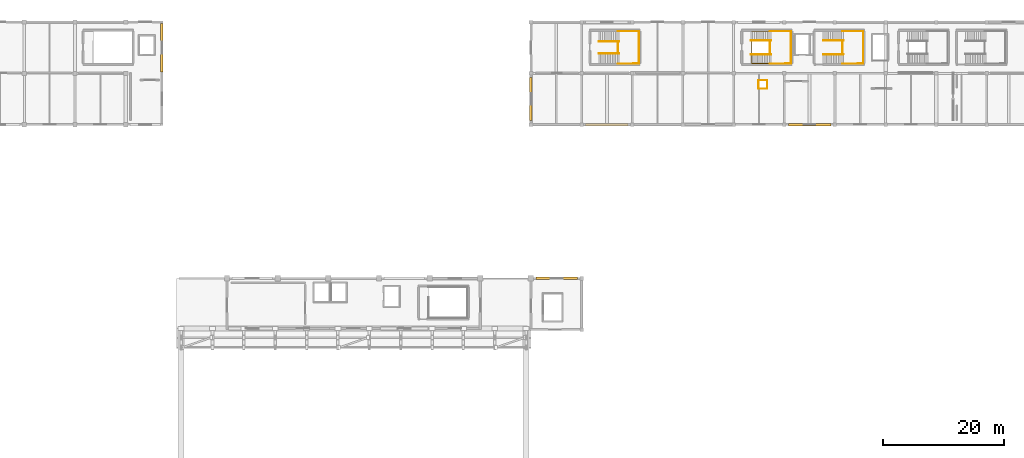
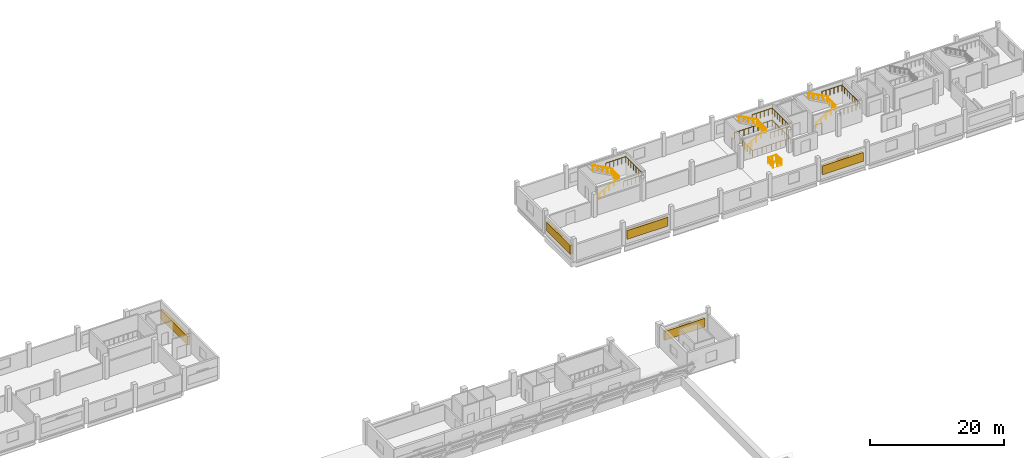
# One storey, part 50 of 52: 15 railings, 5 coverings.
"""IFC4 building model written with IfcOpenShell, lengths in metres."""

from ifc_helpers import new_model, si_unit, direction, frame, origin, origin_2d, place, context, subcontext, project, spatial, rectangle, circle, extrude, material, layer, layer_set, type_object, element, save


model = new_model("IFC4")

# Units and contexts
model_context = context("Model", 3, precision=1e-05, world=origin(), true_north=direction((0.0, 1.0)))
body_context = subcontext(model_context, "Body", "Model", "MODEL_VIEW")
ifc_project = project(units=[si_unit("LENGTHUNIT", "METRE"), si_unit("AREAUNIT", "SQUARE_METRE"), si_unit("VOLUMEUNIT", "CUBIC_METRE"), si_unit("PLANEANGLEUNIT", "RADIAN"), si_unit("MASSUNIT", "GRAM", prefix="KILO")], contexts=[model_context])

# Site, building, storey
site_placement = place(None, origin())
site = spatial("IfcSite", under=ifc_project, at=site_placement, CompositionType="ELEMENT")
building_placement = place(site_placement, origin())
building = spatial("IfcBuilding", under=site, at=building_placement, Name="Solvento Point Concert Hall", CompositionType="ELEMENT")
storey_placement = place(building_placement, frame((0.0, 0.0, 19.5)))
storey = spatial("IfcBuildingStorey", under=building, at=storey_placement, Name="L04", CompositionType="ELEMENT", Elevation=19.5)

# Railings
ifc_material_1 = material(Name="Brushed Stainless Steel Balustrade", Category="steel")
railing_type_1 = type_object("IfcRailingType", Name="StairHandrail_915", PredefinedType="HANDRAIL", material=ifc_material_1)
railing_1_placement = place(storey_placement, frame((169.64990234375, 130.64990234375, 0.16796875)))
element("IfcRailing", 1, at=railing_1_placement, inside=storey, type_object=railing_type_1, Name="Stair handrail HR-01 ST-01 L04 F1", PredefinedType="HANDRAIL", context=body_context, shape_type="SweptSolid", body=[
    extrude(circle(Radius=0.0224609375, at=origin_2d()), frame((0.0, 0.0, 0.892578125), z_axis=(0.857487428268, 0.0, 0.514504917724), x_axis=(0.0, 1.0, 0.0)), (0.0, 0.0, 1.0), 3.91845703125),
    extrude(circle(Radius=0.01904296875, at=origin_2d()), origin(), (0.0, 0.0, 1.0), 0.8701171875),
    extrude(circle(Radius=0.01904296875, at=origin_2d()), frame((0.840087890625, 0.0, 0.50390625)), (0.0, 0.0, 1.0), 0.8701171875),
    extrude(circle(Radius=0.01904296875, at=origin_2d()), frame((1.68017578125, 0.0, 1.008056640625)), (0.0, 0.0, 1.0), 0.8701171875),
    extrude(circle(Radius=0.01904296875, at=origin_2d()), frame((2.52001953125, 0.0, 1.51220703125)), (0.0, 0.0, 1.0), 0.8701171875),
    extrude(circle(Radius=0.01904296875, at=origin_2d()), frame((3.360107421875, 0.0, 2.01611328125)), (0.0, 0.0, 1.0), 0.8701171875),
])
railing_2_placement = place(storey_placement, frame((173.010009765625, 132.949951171875, 2.35205078125)))
element("IfcRailing", 2, at=railing_2_placement, inside=storey, type_object=railing_type_1, Name="Stair handrail HR-01 ST-01 L04 F2", PredefinedType="HANDRAIL", context=body_context, shape_type="SweptSolid", body=[
    extrude(circle(Radius=0.0224609375, at=origin_2d()), frame((0.0, 0.0, 0.892578125), z_axis=(-0.87623338261, 0.0, 0.48188697762), x_axis=(0.0, -1.0, 0.0)), (0.0, 0.0, 1.0), 3.834716796875),
    extrude(circle(Radius=0.01904296875, at=origin_2d()), origin(), (0.0, 0.0, 1.0), 0.8701171875),
    extrude(circle(Radius=0.01904296875, at=origin_2d()), frame((-0.840087890625, 0.0, 0.4619140625)), (0.0, 0.0, 1.0), 0.8701171875),
    extrude(circle(Radius=0.01904296875, at=origin_2d()), frame((-1.68017578125, 0.0, 0.923828125)), (0.0, 0.0, 1.0), 0.8701171875),
    extrude(circle(Radius=0.01904296875, at=origin_2d()), frame((-2.52001953125, 0.0, 1.385986328125)), (0.0, 0.0, 1.0), 0.8701171875),
    extrude(circle(Radius=0.01904296875, at=origin_2d()), frame((-3.360107421875, 0.0, 1.847900390625)), (0.0, 0.0, 1.0), 0.8701171875),
])
railing_3_placement = place(storey_placement, frame((181.64990234375, 130.64990234375, 0.16796875)))
element("IfcRailing", 3, at=railing_3_placement, inside=storey, type_object=railing_type_1, Name="Stair handrail HR-01 ST-10 L04 F1", PredefinedType="HANDRAIL", context=body_context, shape_type="SweptSolid", body=[
    extrude(circle(Radius=0.0224609375, at=origin_2d()), frame((0.0, 0.0, 0.892578125), z_axis=(0.857487428268, 0.0, 0.514504917724), x_axis=(0.0, 1.0, 0.0)), (0.0, 0.0, 1.0), 3.91845703125),
    extrude(circle(Radius=0.01904296875, at=origin_2d()), origin(), (0.0, 0.0, 1.0), 0.8701171875),
    extrude(circle(Radius=0.01904296875, at=origin_2d()), frame((0.840087890625, 0.0, 0.50390625)), (0.0, 0.0, 1.0), 0.8701171875),
    extrude(circle(Radius=0.01904296875, at=origin_2d()), frame((1.68017578125, 0.0, 1.008056640625)), (0.0, 0.0, 1.0), 0.8701171875),
    extrude(circle(Radius=0.01904296875, at=origin_2d()), frame((2.52001953125, 0.0, 1.51220703125)), (0.0, 0.0, 1.0), 0.8701171875),
    extrude(circle(Radius=0.01904296875, at=origin_2d()), frame((3.360107421875, 0.0, 2.01611328125)), (0.0, 0.0, 1.0), 0.8701171875),
])
railing_4_placement = place(storey_placement, frame((185.010009765625, 132.949951171875, 2.35205078125)))
element("IfcRailing", 4, at=railing_4_placement, inside=storey, type_object=railing_type_1, Name="Stair handrail HR-01 ST-10 L04 F2", PredefinedType="HANDRAIL", context=body_context, shape_type="SweptSolid", body=[
    extrude(circle(Radius=0.0224609375, at=origin_2d()), frame((0.0, 0.0, 0.892578125), z_axis=(-0.87623338261, 0.0, 0.48188697762), x_axis=(0.0, -1.0, 0.0)), (0.0, 0.0, 1.0), 3.834716796875),
    extrude(circle(Radius=0.01904296875, at=origin_2d()), origin(), (0.0, 0.0, 1.0), 0.8701171875),
    extrude(circle(Radius=0.01904296875, at=origin_2d()), frame((-0.840087890625, 0.0, 0.4619140625)), (0.0, 0.0, 1.0), 0.8701171875),
    extrude(circle(Radius=0.01904296875, at=origin_2d()), frame((-1.68017578125, 0.0, 0.923828125)), (0.0, 0.0, 1.0), 0.8701171875),
    extrude(circle(Radius=0.01904296875, at=origin_2d()), frame((-2.52001953125, 0.0, 1.385986328125)), (0.0, 0.0, 1.0), 0.8701171875),
    extrude(circle(Radius=0.01904296875, at=origin_2d()), frame((-3.360107421875, 0.0, 1.847900390625)), (0.0, 0.0, 1.0), 0.8701171875),
])
railing_5_placement = place(storey_placement, frame((144.449951171875, 130.81005859375, 0.16796875)))
element("IfcRailing", 5, at=railing_5_placement, inside=storey, type_object=railing_type_1, Name="Stair handrail HR-01 ST-12 L04 F1", PredefinedType="HANDRAIL", context=body_context, shape_type="SweptSolid", body=[
    extrude(circle(Radius=0.0224609375, at=origin_2d()), frame((0.0, 0.0, 0.892578125), z_axis=(0.857487428268, 0.0, 0.514504917724), x_axis=(0.0, 1.0, 0.0)), (0.0, 0.0, 1.0), 3.91845703125),
    extrude(circle(Radius=0.01904296875, at=origin_2d()), origin(), (0.0, 0.0, 1.0), 0.8701171875),
    extrude(circle(Radius=0.01904296875, at=origin_2d()), frame((0.840087890625, 0.0, 0.50390625)), (0.0, 0.0, 1.0), 0.8701171875),
    extrude(circle(Radius=0.01904296875, at=origin_2d()), frame((1.68017578125, 0.0, 1.008056640625)), (0.0, 0.0, 1.0), 0.8701171875),
    extrude(circle(Radius=0.01904296875, at=origin_2d()), frame((2.52001953125, 0.0, 1.51220703125)), (0.0, 0.0, 1.0), 0.8701171875),
    extrude(circle(Radius=0.01904296875, at=origin_2d()), frame((3.360107421875, 0.0, 2.01611328125)), (0.0, 0.0, 1.0), 0.8701171875),
])
railing_6_placement = place(storey_placement, frame((147.81005859375, 132.7900390625, 2.35205078125)))
element("IfcRailing", 6, at=railing_6_placement, inside=storey, type_object=railing_type_1, Name="Stair handrail HR-01 ST-12 L04 F2", PredefinedType="HANDRAIL", context=body_context, shape_type="SweptSolid", body=[
    extrude(circle(Radius=0.0224609375, at=origin_2d()), frame((0.0, 0.0, 0.892578125), z_axis=(-0.87623338261, 0.0, 0.48188697762), x_axis=(0.0, -1.0, 0.0)), (0.0, 0.0, 1.0), 3.834716796875),
    extrude(circle(Radius=0.01904296875, at=origin_2d()), origin(), (0.0, 0.0, 1.0), 0.8701171875),
    extrude(circle(Radius=0.01904296875, at=origin_2d()), frame((-0.840087890625, 0.0, 0.4619140625)), (0.0, 0.0, 1.0), 0.8701171875),
    extrude(circle(Radius=0.01904296875, at=origin_2d()), frame((-1.68017578125, 0.0, 0.923828125)), (0.0, 0.0, 1.0), 0.8701171875),
    extrude(circle(Radius=0.01904296875, at=origin_2d()), frame((-2.52001953125, 0.0, 1.385986328125)), (0.0, 0.0, 1.0), 0.8701171875),
    extrude(circle(Radius=0.01904296875, at=origin_2d()), frame((-3.360107421875, 0.0, 1.847900390625)), (0.0, 0.0, 1.0), 0.8701171875),
])
ifc_material_2 = material(Name="Brushed Stainless Steel Balustrade", Category="steel")
railing_type_2 = type_object("IfcRailingType", Name="StairWellGuard_1100", PredefinedType="BALUSTRADE", material=ifc_material_2)
railing_7_placement = place(storey_placement, frame((169.820068359375, 132.89990234375, 0.0)))
element("IfcRailing", 7, at=railing_7_placement, inside=storey, type_object=railing_type_2, Name="Stairwell guard GR-02 ST-01 L04", PredefinedType="BALUSTRADE", context=body_context, shape_type="SweptSolid", body=[
    extrude(circle(Radius=0.02392578125, at=origin_2d()), frame((0.0, 0.0, 1.09619140625), z_axis=(0.0, -1.0, 0.0), x_axis=(1.0, 0.0, 0.0)), (0.0, 0.0, 1.0), 3.77978515625),
    extrude(circle(Radius=0.02392578125, at=origin_2d()), frame((0.0, -3.77978515625, 1.09619140625), z_axis=(1.0, 0.0, 0.0), x_axis=(0.0, 1.0, 0.0)), (0.0, 0.0, 1.0), 6.4599609375),
    extrude(circle(Radius=0.02392578125, at=origin_2d()), frame((6.4599609375, -3.77978515625, 1.09619140625), z_axis=(0.0, 1.0, 0.0), x_axis=(-1.0, 0.0, 0.0)), (0.0, 0.0, 1.0), 5.35986328125),
    extrude(circle(Radius=0.02392578125, at=origin_2d()), frame((6.4599609375, 1.580078125, 1.09619140625), z_axis=(-1.0, 0.0, 0.0), x_axis=(0.0, -1.0, 0.0)), (0.0, 0.0, 1.0), 6.4599609375),
    extrude(circle(Radius=0.02392578125, at=origin_2d()), frame((0.0, 1.580078125, 1.09619140625), z_axis=(0.0, 1.0, 0.0), x_axis=(-1.0, 0.0, 0.0)), (0.0, 0.0, 1.0), 0.02001953125),
    extrude(circle(Radius=0.02099609375, at=origin_2d()), origin(), (0.0, 0.0, 1.0), 1.072021484375),
    extrude(circle(Radius=0.02099609375, at=origin_2d()), frame((0.0, -0.755859375, 0.0)), (0.0, 0.0, 1.0), 1.072021484375),
    extrude(circle(Radius=0.02099609375, at=origin_2d()), frame((0.0, -1.511962890625, 0.0)), (0.0, 0.0, 1.0), 1.072021484375),
    extrude(circle(Radius=0.02099609375, at=origin_2d()), frame((0.0, -2.267822265625, 0.0)), (0.0, 0.0, 1.0), 1.072021484375),
    extrude(circle(Radius=0.02099609375, at=origin_2d()), frame((0.0, -3.02392578125, 0.0)), (0.0, 0.0, 1.0), 1.072021484375),
    extrude(circle(Radius=0.02099609375, at=origin_2d()), frame((0.0, -3.77978515625, 0.0)), (0.0, 0.0, 1.0), 1.072021484375),
    extrude(circle(Radius=0.02099609375, at=origin_2d()), frame((0.8076171875, -3.77978515625, 0.0)), (0.0, 0.0, 1.0), 1.072021484375),
    extrude(circle(Radius=0.02099609375, at=origin_2d()), frame((1.614990234375, -3.77978515625, 0.0)), (0.0, 0.0, 1.0), 1.072021484375),
    extrude(circle(Radius=0.02099609375, at=origin_2d()), frame((2.42236328125, -3.77978515625, 0.0)), (0.0, 0.0, 1.0), 1.072021484375),
    extrude(circle(Radius=0.02099609375, at=origin_2d()), frame((3.22998046875, -3.77978515625, 0.0)), (0.0, 0.0, 1.0), 1.072021484375),
    extrude(circle(Radius=0.02099609375, at=origin_2d()), frame((4.03759765625, -3.77978515625, 0.0)), (0.0, 0.0, 1.0), 1.072021484375),
    extrude(circle(Radius=0.02099609375, at=origin_2d()), frame((4.844970703125, -3.77978515625, 0.0)), (0.0, 0.0, 1.0), 1.072021484375),
    extrude(circle(Radius=0.02099609375, at=origin_2d()), frame((5.65234375, -3.77978515625, 0.0)), (0.0, 0.0, 1.0), 1.072021484375),
    extrude(circle(Radius=0.02099609375, at=origin_2d()), frame((6.4599609375, -3.77978515625, 0.0)), (0.0, 0.0, 1.0), 1.072021484375),
    extrude(circle(Radius=0.02099609375, at=origin_2d()), frame((6.4599609375, -2.886474609375, 0.0)), (0.0, 0.0, 1.0), 1.072021484375),
    extrude(circle(Radius=0.02099609375, at=origin_2d()), frame((6.4599609375, -1.9931640625, 0.0)), (0.0, 0.0, 1.0), 1.072021484375),
    extrude(circle(Radius=0.02099609375, at=origin_2d()), frame((6.4599609375, -1.099853515625, 0.0)), (0.0, 0.0, 1.0), 1.072021484375),
    extrude(circle(Radius=0.02099609375, at=origin_2d()), frame((6.4599609375, -0.20654296875, 0.0)), (0.0, 0.0, 1.0), 1.072021484375),
    extrude(circle(Radius=0.02099609375, at=origin_2d()), frame((6.4599609375, 0.686767578125, 0.0)), (0.0, 0.0, 1.0), 1.072021484375),
    extrude(circle(Radius=0.02099609375, at=origin_2d()), frame((6.4599609375, 1.580078125, 0.0)), (0.0, 0.0, 1.0), 1.072021484375),
    extrude(circle(Radius=0.02099609375, at=origin_2d()), frame((5.65234375, 1.580078125, 0.0)), (0.0, 0.0, 1.0), 1.072021484375),
    extrude(circle(Radius=0.02099609375, at=origin_2d()), frame((4.844970703125, 1.580078125, 0.0)), (0.0, 0.0, 1.0), 1.072021484375),
    extrude(circle(Radius=0.02099609375, at=origin_2d()), frame((4.03759765625, 1.580078125, 0.0)), (0.0, 0.0, 1.0), 1.072021484375),
    extrude(circle(Radius=0.02099609375, at=origin_2d()), frame((3.22998046875, 1.580078125, 0.0)), (0.0, 0.0, 1.0), 1.072021484375),
    extrude(circle(Radius=0.02099609375, at=origin_2d()), frame((2.42236328125, 1.580078125, 0.0)), (0.0, 0.0, 1.0), 1.072021484375),
    extrude(circle(Radius=0.02099609375, at=origin_2d()), frame((1.614990234375, 1.580078125, 0.0)), (0.0, 0.0, 1.0), 1.072021484375),
    extrude(circle(Radius=0.02099609375, at=origin_2d()), frame((0.8076171875, 1.580078125, 0.0)), (0.0, 0.0, 1.0), 1.072021484375),
    extrude(circle(Radius=0.02099609375, at=origin_2d()), frame((0.0, 1.580078125, 0.0)), (0.0, 0.0, 1.0), 1.072021484375),
    extrude(circle(Radius=0.02099609375, at=origin_2d()), frame((0.0, 1.60009765625, 0.0)), (0.0, 0.0, 1.0), 1.072021484375),
])
railing_8_placement = place(storey_placement, frame((172.840087890625, 129.10009765625, 2.18408203125)))
element("IfcRailing", 8, at=railing_8_placement, inside=storey, type_object=railing_type_2, Name="Half-landing perimeter guard GR-02 ST-01 L04", PredefinedType="BALUSTRADE", context=body_context, shape_type="SweptSolid", body=[
    extrude(circle(Radius=0.02392578125, at=origin_2d()), frame((0.0, 0.0, 1.09619140625), z_axis=(0.999983261192, 0.005785960162, 0.0), x_axis=(-0.005785960162, 0.999983261192, 0.0)), (0.0, 0.0, 1.0), 3.4599609375),
    extrude(circle(Radius=0.02392578125, at=origin_2d()), frame((3.4599609375, 0.02001953125, 1.09619140625), z_axis=(0.0, 1.0, 0.0), x_axis=(-1.0, 0.0, 0.0)), (0.0, 0.0, 1.0), 5.35986328125),
    extrude(circle(Radius=0.02392578125, at=origin_2d()), frame((3.4599609375, 5.3798828125, 1.09619140625), z_axis=(-0.999983261192, 0.005785960162, 0.0), x_axis=(-0.005785960162, -0.999983261192, 0.0)), (0.0, 0.0, 1.0), 3.4599609375),
    extrude(circle(Radius=0.02099609375, at=origin_2d()), origin(), (0.0, 0.0, 1.0), 1.072021484375),
    extrude(circle(Radius=0.02099609375, at=origin_2d()), frame((0.69189453125, 0.00390625, 0.0)), (0.0, 0.0, 1.0), 1.072021484375),
    extrude(circle(Radius=0.02099609375, at=origin_2d()), frame((1.384033203125, 0.008056640625, 0.0)), (0.0, 0.0, 1.0), 1.072021484375),
    extrude(circle(Radius=0.02099609375, at=origin_2d()), frame((2.075927734375, 0.011962890625, 0.0)), (0.0, 0.0, 1.0), 1.072021484375),
    extrude(circle(Radius=0.02099609375, at=origin_2d()), frame((2.76806640625, 0.01611328125, 0.0)), (0.0, 0.0, 1.0), 1.072021484375),
    extrude(circle(Radius=0.02099609375, at=origin_2d()), frame((3.4599609375, 0.02001953125, 0.0)), (0.0, 0.0, 1.0), 1.072021484375),
    extrude(circle(Radius=0.02099609375, at=origin_2d()), frame((3.4599609375, 0.78564453125, 0.0)), (0.0, 0.0, 1.0), 1.072021484375),
    extrude(circle(Radius=0.02099609375, at=origin_2d()), frame((3.4599609375, 1.551513671875, 0.0)), (0.0, 0.0, 1.0), 1.072021484375),
    extrude(circle(Radius=0.02099609375, at=origin_2d()), frame((3.4599609375, 2.317138671875, 0.0)), (0.0, 0.0, 1.0), 1.072021484375),
    extrude(circle(Radius=0.02099609375, at=origin_2d()), frame((3.4599609375, 3.082763671875, 0.0)), (0.0, 0.0, 1.0), 1.072021484375),
    extrude(circle(Radius=0.02099609375, at=origin_2d()), frame((3.4599609375, 3.848388671875, 0.0)), (0.0, 0.0, 1.0), 1.072021484375),
    extrude(circle(Radius=0.02099609375, at=origin_2d()), frame((3.4599609375, 4.6142578125, 0.0)), (0.0, 0.0, 1.0), 1.072021484375),
    extrude(circle(Radius=0.02099609375, at=origin_2d()), frame((3.4599609375, 5.3798828125, 0.0)), (0.0, 0.0, 1.0), 1.072021484375),
    extrude(circle(Radius=0.02099609375, at=origin_2d()), frame((2.76806640625, 5.3837890625, 0.0)), (0.0, 0.0, 1.0), 1.072021484375),
    extrude(circle(Radius=0.02099609375, at=origin_2d()), frame((2.075927734375, 5.387939453125, 0.0)), (0.0, 0.0, 1.0), 1.072021484375),
    extrude(circle(Radius=0.02099609375, at=origin_2d()), frame((1.384033203125, 5.391845703125, 0.0)), (0.0, 0.0, 1.0), 1.072021484375),
    extrude(circle(Radius=0.02099609375, at=origin_2d()), frame((0.69189453125, 5.39599609375, 0.0)), (0.0, 0.0, 1.0), 1.072021484375),
    extrude(circle(Radius=0.02099609375, at=origin_2d()), frame((0.0, 5.39990234375, 0.0)), (0.0, 0.0, 1.0), 1.072021484375),
])
railing_9_placement = place(storey_placement, frame((172.840087890625, 130.699951171875, 2.18408203125)))
element("IfcRailing", 9, at=railing_9_placement, inside=storey, type_object=railing_type_2, Name="Half-landing slot guard GR-02 ST-01 L04", PredefinedType="BALUSTRADE", context=body_context, shape_type="SweptSolid", body=[
    extrude(circle(Radius=0.02392578125, at=origin_2d()), frame((0.0, 0.0, 1.09619140625), z_axis=(0.0, 1.0, 0.0), x_axis=(-1.0, 0.0, 0.0)), (0.0, 0.0, 1.0), 2.199951171875),
    extrude(circle(Radius=0.02099609375, at=origin_2d()), origin(), (0.0, 0.0, 1.0), 1.072021484375),
    extrude(circle(Radius=0.02099609375, at=origin_2d()), frame((0.0, 0.7333984375, 0.0)), (0.0, 0.0, 1.0), 1.072021484375),
    extrude(circle(Radius=0.02099609375, at=origin_2d()), frame((0.0, 1.466552734375, 0.0)), (0.0, 0.0, 1.0), 1.072021484375),
    extrude(circle(Radius=0.02099609375, at=origin_2d()), frame((0.0, 2.199951171875, 0.0)), (0.0, 0.0, 1.0), 1.072021484375),
])
railing_10_placement = place(storey_placement, frame((184.840087890625, 129.10009765625, 2.18408203125)))
element("IfcRailing", 10, at=railing_10_placement, inside=storey, type_object=railing_type_2, Name="Half-landing perimeter guard GR-02 ST-10 L04", PredefinedType="BALUSTRADE", context=body_context, shape_type="SweptSolid", body=[
    extrude(circle(Radius=0.02392578125, at=origin_2d()), frame((0.0, 0.0, 1.09619140625), z_axis=(0.999983261192, 0.005785960162, 0.0), x_axis=(-0.005785960162, 0.999983261192, 0.0)), (0.0, 0.0, 1.0), 3.4599609375),
    extrude(circle(Radius=0.02392578125, at=origin_2d()), frame((3.4599609375, 0.02001953125, 1.09619140625), z_axis=(0.0, 1.0, 0.0), x_axis=(-1.0, 0.0, 0.0)), (0.0, 0.0, 1.0), 5.35986328125),
    extrude(circle(Radius=0.02392578125, at=origin_2d()), frame((3.4599609375, 5.3798828125, 1.09619140625), z_axis=(-0.999983261192, 0.005785960162, 0.0), x_axis=(-0.005785960162, -0.999983261192, 0.0)), (0.0, 0.0, 1.0), 3.4599609375),
    extrude(circle(Radius=0.02099609375, at=origin_2d()), origin(), (0.0, 0.0, 1.0), 1.072021484375),
    extrude(circle(Radius=0.02099609375, at=origin_2d()), frame((0.69189453125, 0.00390625, 0.0)), (0.0, 0.0, 1.0), 1.072021484375),
    extrude(circle(Radius=0.02099609375, at=origin_2d()), frame((1.384033203125, 0.008056640625, 0.0)), (0.0, 0.0, 1.0), 1.072021484375),
    extrude(circle(Radius=0.02099609375, at=origin_2d()), frame((2.075927734375, 0.011962890625, 0.0)), (0.0, 0.0, 1.0), 1.072021484375),
    extrude(circle(Radius=0.02099609375, at=origin_2d()), frame((2.76806640625, 0.01611328125, 0.0)), (0.0, 0.0, 1.0), 1.072021484375),
    extrude(circle(Radius=0.02099609375, at=origin_2d()), frame((3.4599609375, 0.02001953125, 0.0)), (0.0, 0.0, 1.0), 1.072021484375),
    extrude(circle(Radius=0.02099609375, at=origin_2d()), frame((3.4599609375, 0.78564453125, 0.0)), (0.0, 0.0, 1.0), 1.072021484375),
    extrude(circle(Radius=0.02099609375, at=origin_2d()), frame((3.4599609375, 1.551513671875, 0.0)), (0.0, 0.0, 1.0), 1.072021484375),
    extrude(circle(Radius=0.02099609375, at=origin_2d()), frame((3.4599609375, 2.317138671875, 0.0)), (0.0, 0.0, 1.0), 1.072021484375),
    extrude(circle(Radius=0.02099609375, at=origin_2d()), frame((3.4599609375, 3.082763671875, 0.0)), (0.0, 0.0, 1.0), 1.072021484375),
    extrude(circle(Radius=0.02099609375, at=origin_2d()), frame((3.4599609375, 3.848388671875, 0.0)), (0.0, 0.0, 1.0), 1.072021484375),
    extrude(circle(Radius=0.02099609375, at=origin_2d()), frame((3.4599609375, 4.6142578125, 0.0)), (0.0, 0.0, 1.0), 1.072021484375),
    extrude(circle(Radius=0.02099609375, at=origin_2d()), frame((3.4599609375, 5.3798828125, 0.0)), (0.0, 0.0, 1.0), 1.072021484375),
    extrude(circle(Radius=0.02099609375, at=origin_2d()), frame((2.76806640625, 5.3837890625, 0.0)), (0.0, 0.0, 1.0), 1.072021484375),
    extrude(circle(Radius=0.02099609375, at=origin_2d()), frame((2.075927734375, 5.387939453125, 0.0)), (0.0, 0.0, 1.0), 1.072021484375),
    extrude(circle(Radius=0.02099609375, at=origin_2d()), frame((1.384033203125, 5.391845703125, 0.0)), (0.0, 0.0, 1.0), 1.072021484375),
    extrude(circle(Radius=0.02099609375, at=origin_2d()), frame((0.69189453125, 5.39599609375, 0.0)), (0.0, 0.0, 1.0), 1.072021484375),
    extrude(circle(Radius=0.02099609375, at=origin_2d()), frame((0.0, 5.39990234375, 0.0)), (0.0, 0.0, 1.0), 1.072021484375),
])
railing_11_placement = place(storey_placement, frame((184.840087890625, 130.699951171875, 2.18408203125)))
element("IfcRailing", 11, at=railing_11_placement, inside=storey, type_object=railing_type_2, Name="Half-landing slot guard GR-02 ST-10 L04", PredefinedType="BALUSTRADE", context=body_context, shape_type="SweptSolid", body=[
    extrude(circle(Radius=0.02392578125, at=origin_2d()), frame((0.0, 0.0, 1.09619140625), z_axis=(0.0, 1.0, 0.0), x_axis=(-1.0, 0.0, 0.0)), (0.0, 0.0, 1.0), 2.199951171875),
    extrude(circle(Radius=0.02099609375, at=origin_2d()), origin(), (0.0, 0.0, 1.0), 1.072021484375),
    extrude(circle(Radius=0.02099609375, at=origin_2d()), frame((0.0, 0.7333984375, 0.0)), (0.0, 0.0, 1.0), 1.072021484375),
    extrude(circle(Radius=0.02099609375, at=origin_2d()), frame((0.0, 1.466552734375, 0.0)), (0.0, 0.0, 1.0), 1.072021484375),
    extrude(circle(Radius=0.02099609375, at=origin_2d()), frame((0.0, 2.199951171875, 0.0)), (0.0, 0.0, 1.0), 1.072021484375),
])
railing_12_placement = place(storey_placement, frame((147.639892578125, 129.10009765625, 2.18408203125)))
element("IfcRailing", 12, at=railing_12_placement, inside=storey, type_object=railing_type_2, Name="Half-landing perimeter guard GR-02 ST-12 L04", PredefinedType="BALUSTRADE", context=body_context, shape_type="SweptSolid", body=[
    extrude(circle(Radius=0.02392578125, at=origin_2d()), frame((0.0, 0.0, 1.09619140625), z_axis=(0.999983263554, 0.005785551938, 0.0), x_axis=(-0.005785551938, 0.999983263554, 0.0)), (0.0, 0.0, 1.0), 3.460205078125),
    extrude(circle(Radius=0.02392578125, at=origin_2d()), frame((3.460205078125, 0.02001953125, 1.09619140625), z_axis=(0.0, 1.0, 0.0), x_axis=(-1.0, 0.0, 0.0)), (0.0, 0.0, 1.0), 5.35986328125),
    extrude(circle(Radius=0.02392578125, at=origin_2d()), frame((3.460205078125, 5.3798828125, 1.09619140625), z_axis=(-0.999983263554, 0.005785551938, 0.0), x_axis=(-0.005785551938, -0.999983263554, 0.0)), (0.0, 0.0, 1.0), 3.460205078125),
    extrude(circle(Radius=0.02099609375, at=origin_2d()), origin(), (0.0, 0.0, 1.0), 1.072021484375),
    extrude(circle(Radius=0.02099609375, at=origin_2d()), frame((0.692138671875, 0.00390625, 0.0)), (0.0, 0.0, 1.0), 1.072021484375),
    extrude(circle(Radius=0.02099609375, at=origin_2d()), frame((1.384033203125, 0.008056640625, 0.0)), (0.0, 0.0, 1.0), 1.072021484375),
    extrude(circle(Radius=0.02099609375, at=origin_2d()), frame((2.076171875, 0.011962890625, 0.0)), (0.0, 0.0, 1.0), 1.072021484375),
    extrude(circle(Radius=0.02099609375, at=origin_2d()), frame((2.76806640625, 0.01611328125, 0.0)), (0.0, 0.0, 1.0), 1.072021484375),
    extrude(circle(Radius=0.02099609375, at=origin_2d()), frame((3.460205078125, 0.02001953125, 0.0)), (0.0, 0.0, 1.0), 1.072021484375),
    extrude(circle(Radius=0.02099609375, at=origin_2d()), frame((3.460205078125, 0.78564453125, 0.0)), (0.0, 0.0, 1.0), 1.072021484375),
    extrude(circle(Radius=0.02099609375, at=origin_2d()), frame((3.460205078125, 1.551513671875, 0.0)), (0.0, 0.0, 1.0), 1.072021484375),
    extrude(circle(Radius=0.02099609375, at=origin_2d()), frame((3.460205078125, 2.317138671875, 0.0)), (0.0, 0.0, 1.0), 1.072021484375),
    extrude(circle(Radius=0.02099609375, at=origin_2d()), frame((3.460205078125, 3.082763671875, 0.0)), (0.0, 0.0, 1.0), 1.072021484375),
    extrude(circle(Radius=0.02099609375, at=origin_2d()), frame((3.460205078125, 3.848388671875, 0.0)), (0.0, 0.0, 1.0), 1.072021484375),
    extrude(circle(Radius=0.02099609375, at=origin_2d()), frame((3.460205078125, 4.6142578125, 0.0)), (0.0, 0.0, 1.0), 1.072021484375),
    extrude(circle(Radius=0.02099609375, at=origin_2d()), frame((3.460205078125, 5.3798828125, 0.0)), (0.0, 0.0, 1.0), 1.072021484375),
    extrude(circle(Radius=0.02099609375, at=origin_2d()), frame((2.76806640625, 5.3837890625, 0.0)), (0.0, 0.0, 1.0), 1.072021484375),
    extrude(circle(Radius=0.02099609375, at=origin_2d()), frame((2.076171875, 5.387939453125, 0.0)), (0.0, 0.0, 1.0), 1.072021484375),
    extrude(circle(Radius=0.02099609375, at=origin_2d()), frame((1.384033203125, 5.391845703125, 0.0)), (0.0, 0.0, 1.0), 1.072021484375),
    extrude(circle(Radius=0.02099609375, at=origin_2d()), frame((0.692138671875, 5.39599609375, 0.0)), (0.0, 0.0, 1.0), 1.072021484375),
    extrude(circle(Radius=0.02099609375, at=origin_2d()), frame((0.0, 5.39990234375, 0.0)), (0.0, 0.0, 1.0), 1.072021484375),
])
railing_13_placement = place(storey_placement, frame((147.639892578125, 130.860107421875, 2.18408203125)))
element("IfcRailing", 13, at=railing_13_placement, inside=storey, type_object=railing_type_2, Name="Half-landing slot guard GR-02 ST-12 L04", PredefinedType="BALUSTRADE", context=body_context, shape_type="SweptSolid", body=[
    extrude(circle(Radius=0.02392578125, at=origin_2d()), frame((0.0, 0.0, 1.09619140625), z_axis=(0.0, 1.0, 0.0), x_axis=(-1.0, 0.0, 0.0)), (0.0, 0.0, 1.0), 1.8798828125),
    extrude(circle(Radius=0.02099609375, at=origin_2d()), origin(), (0.0, 0.0, 1.0), 1.072021484375),
    extrude(circle(Radius=0.02099609375, at=origin_2d()), frame((0.0, 0.626708984375, 0.0)), (0.0, 0.0, 1.0), 1.072021484375),
    extrude(circle(Radius=0.02099609375, at=origin_2d()), frame((0.0, 1.253173828125, 0.0)), (0.0, 0.0, 1.0), 1.072021484375),
    extrude(circle(Radius=0.02099609375, at=origin_2d()), frame((0.0, 1.8798828125, 0.0)), (0.0, 0.0, 1.0), 1.072021484375),
])

# Coverings
ifc_material_3 = material(Name="Precast concrete C45/55", Category="concrete")
ifc_layer = layer(ifc_material_3, 0.159912109375)
ifc_layer_set = layer_set([ifc_layer], Name="Precast concrete C45/55")
covering_type = type_object("IfcCoveringType", Name="StormScreen_Precast", PredefinedType="CLADDING", material=ifc_layer_set)
for number, where, z_axis, x_axis, name in (
    (14, (179.39990234375, 119.0, 0.800048828125), (0.0, 0.0, 1.0), (-1.0, 0.0, 0.0), "Perforated precast storm-baffle screen SCR-01"),
    (15, (145.800048828125, 119.0, 0.800048828125), (0.0, 0.0, 1.0), (-1.0, 0.0, 0.0), "Perforated precast storm-baffle screen SCR-01"),
):
    element("IfcCovering", number, at=place(storey_placement, frame(where, z_axis=z_axis, x_axis=x_axis)), inside=storey, type_object=covering_type, Name=name, PredefinedType="CLADDING", context=body_context, shape_type="SweptSolid", body=[
        extrude(rectangle(XDim=7.0400390625, YDim=0.419921875, at=origin_2d()), origin(), (0.0, 0.0, 1.0), 1.60009765625),
    ])
covering_1_placement = place(storey_placement, frame((133.199951171875, 123.25, 0.800048828125), z_axis=(0.0, 0.0, 1.0), x_axis=(0.0, 1.0, 0.0)))
element("IfcCovering", 16, at=covering_1_placement, inside=storey, type_object=covering_type, Name="Perforated precast storm-baffle screen SCR-01", PredefinedType="CLADDING", context=body_context, shape_type="SweptSolid", body=[
    extrude(rectangle(XDim=7.139892578125, YDim=0.419921875, at=origin_2d()), origin(), (0.0, 0.0, 1.0), 1.60009765625),
])
covering_2_placement = place(storey_placement, frame((137.47509765625, 93.5, 0.800048828125), z_axis=(0.0, 0.0, 1.0), x_axis=(1.0, 0.0, 0.0)))
element("IfcCovering", 17, at=covering_2_placement, inside=storey, type_object=covering_type, Name="Perforated precast storm-baffle screen SCR-01", PredefinedType="CLADDING", context=body_context, shape_type="SweptSolid", body=[
    extrude(rectangle(XDim=6.889892578125, YDim=0.419921875, at=origin_2d()), origin(), (0.0, 0.0, 1.0), 1.60009765625),
])
covering_3_placement = place(storey_placement, frame((72.0, 131.75, 0.800048828125), z_axis=(0.0, 0.0, 1.0), x_axis=(0.0, -1.0, 0.0)))
element("IfcCovering", 18, at=covering_3_placement, inside=storey, type_object=covering_type, Name="Perforated precast storm-baffle screen SCR-01", PredefinedType="CLADDING", context=body_context, shape_type="SweptSolid", body=[
    extrude(rectangle(XDim=8.02001953125, YDim=0.419921875, at=origin_2d()), origin(), (0.0, 0.0, 1.0), 1.60009765625),
])

# Railings
ifc_material_4 = material(Name="Brushed Stainless Steel Balustrade", Category="steel")
railing_type_3 = type_object("IfcRailingType", Name="TerraceBalustrade_1100", PredefinedType="BALUSTRADE", material=ifc_material_4)
railing_14_placement = place(storey_placement, frame((172.330078125, 126.360107421875, 0.0)))
element("IfcRailing", 19, at=railing_14_placement, inside=storey, type_object=railing_type_3, Name="Guard balustrade GR-01 L04", PredefinedType="BALUSTRADE", context=body_context, shape_type="SweptSolid", body=[
    extrude(circle(Radius=0.02392578125, at=origin_2d()), frame((0.0, 0.0, 1.09619140625), z_axis=(-1.0, 0.0, 0.0), x_axis=(0.0, -1.0, 0.0)), (0.0, 0.0, 1.0), 1.39013671875),
    extrude(circle(Radius=0.02392578125, at=origin_2d()), frame((-1.39013671875, 0.0, 1.09619140625), z_axis=(0.0, -1.0, 0.0), x_axis=(1.0, 0.0, 0.0)), (0.0, 0.0, 1.0), 1.39013671875),
    extrude(circle(Radius=0.02099609375, at=origin_2d()), origin(), (0.0, 0.0, 1.0), 1.072021484375),
    extrude(circle(Radius=0.02099609375, at=origin_2d()), frame((-0.695068359375, 0.0, 0.0)), (0.0, 0.0, 1.0), 1.072021484375),
    extrude(circle(Radius=0.02099609375, at=origin_2d()), frame((-1.39013671875, 0.0, 0.0)), (0.0, 0.0, 1.0), 1.072021484375),
    extrude(circle(Radius=0.02099609375, at=origin_2d()), frame((-1.39013671875, -0.695068359375, 0.0)), (0.0, 0.0, 1.0), 1.072021484375),
    extrude(circle(Radius=0.02099609375, at=origin_2d()), frame((-1.39013671875, -1.39013671875, 0.0)), (0.0, 0.0, 1.0), 1.072021484375),
])
railing_15_placement = place(storey_placement, frame((170.969970703125, 124.93994140625, 0.0)))
element("IfcRailing", 20, at=railing_15_placement, inside=storey, type_object=railing_type_3, Name="Guard balustrade GR-01 L04", PredefinedType="BALUSTRADE", context=body_context, shape_type="SweptSolid", body=[
    extrude(circle(Radius=0.02392578125, at=origin_2d()), frame((0.0, 0.0, 1.09619140625), z_axis=(1.0, 0.0, 0.0), x_axis=(0.0, 1.0, 0.0)), (0.0, 0.0, 1.0), 1.39013671875),
    extrude(circle(Radius=0.02392578125, at=origin_2d()), frame((1.39013671875, 0.0, 1.09619140625), z_axis=(0.0, 1.0, 0.0), x_axis=(-1.0, 0.0, 0.0)), (0.0, 0.0, 1.0), 1.39013671875),
    extrude(circle(Radius=0.02099609375, at=origin_2d()), origin(), (0.0, 0.0, 1.0), 1.072021484375),
    extrude(circle(Radius=0.02099609375, at=origin_2d()), frame((0.695068359375, 0.0, 0.0)), (0.0, 0.0, 1.0), 1.072021484375),
    extrude(circle(Radius=0.02099609375, at=origin_2d()), frame((1.39013671875, 0.0, 0.0)), (0.0, 0.0, 1.0), 1.072021484375),
    extrude(circle(Radius=0.02099609375, at=origin_2d()), frame((1.39013671875, 0.695068359375, 0.0)), (0.0, 0.0, 1.0), 1.072021484375),
    extrude(circle(Radius=0.02099609375, at=origin_2d()), frame((1.39013671875, 1.39013671875, 0.0)), (0.0, 0.0, 1.0), 1.072021484375),
])

save(model, "model.ifc")
